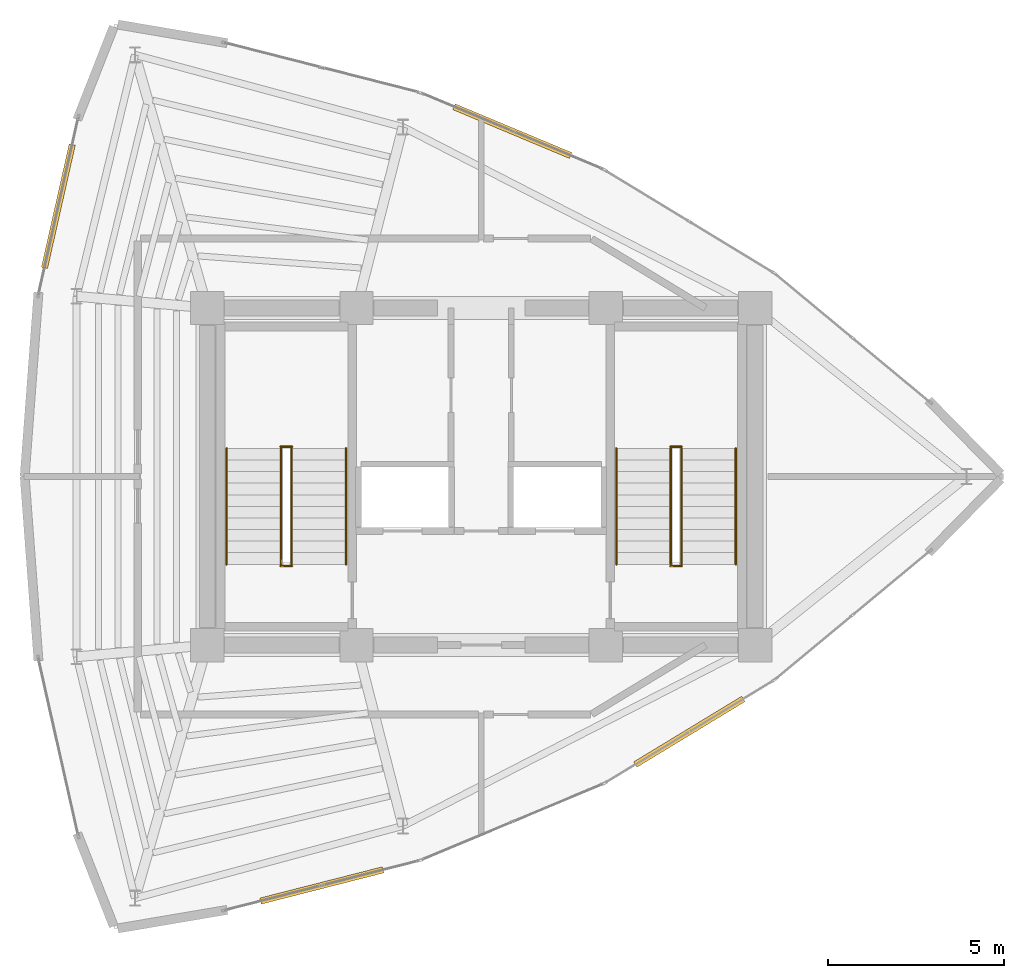
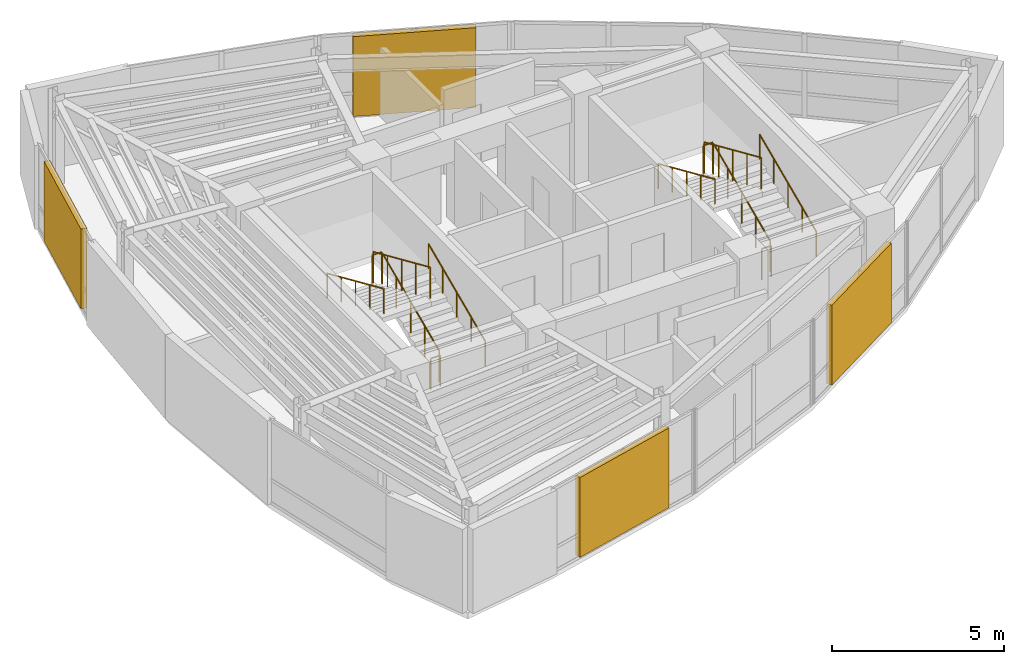
# One storey, part 14 of 14: 12 railings, 4 shading devices.
"""IFC4 building model written with IfcOpenShell, lengths in metres."""

import ifcopenshell
import ifcopenshell.guid

model = None  # the IFC model being written
_history = None  # IfcOwnerHistory: only IFC2X3 demands one
_inside = {}  # id of a spatial element -> (the spatial element, [elements in it])
_under = {}  # id of a project, library or spatial element -> (it, [spatial elements below it])
_declared = {}  # id of a project -> (the project, [libraries it declares])
_typed = {}  # id of a type object -> (the type object, [elements of that type])
_made_of = {}  # id of a material, layer set ... -> (it, [elements and type objects made of it])


def new_model(schema):
    """Start an empty IFC model of exactly this schema.

    Asked for "IFC4X3", IfcOpenShell would pick the latest addendum, in which some entities
    have other attributes; the version numbers below select the first issue.
    IFC2X3 requires an IfcOwnerHistory on every rooted entity: one is made here for all.
    """
    global model, _history
    if schema == "IFC4X3":
        model = ifcopenshell.file(schema_version=(4, 3, 0, 0))
    else:
        model = ifcopenshell.file(schema=schema)
    _inside.clear()
    _under.clear()
    _declared.clear()
    _typed.clear()
    _made_of.clear()
    _history = None
    if model.schema == "IFC2X3":
        org = make("IfcOrganization", Name="unknown")
        user = make(
            "IfcPersonAndOrganization",
            ThePerson=make("IfcPerson", FamilyName="unknown"),
            TheOrganization=org,
        )
        app = make(
            "IfcApplication",
            ApplicationDeveloper=org,
            Version="unknown",
            ApplicationFullName="unknown",
            ApplicationIdentifier="unknown",
        )
        _history = make(
            "IfcOwnerHistory",
            OwningUser=user,
            OwningApplication=app,
            ChangeAction="ADDED",
            CreationDate=0,
        )
    return model


def make(cls, **values):
    """One entity of the class cls with the attributes given. An attribute that is None is left unset."""
    return model.create_entity(
        cls, **{name: value for name, value in values.items() if value is not None}
    )


def rooted(cls, **values):
    """An entity with a GlobalId (a new one), such as an element, a storey or a relation."""
    return make(cls, GlobalId=ifcopenshell.guid.new(), OwnerHistory=_history, **values)


def si_unit(unit_type, name, prefix=None):
    """IfcSIUnit, for example si_unit("LENGTHUNIT", "METRE", prefix="MILLI")."""
    return make("IfcSIUnit", UnitType=unit_type, Prefix=prefix, Name=name)


def assignment(units):
    """IfcUnitAssignment: the units of a project."""
    return None if units is None else make("IfcUnitAssignment", Units=units)


def point(xyz):
    """IfcCartesianPoint."""
    return None if xyz is None else make("IfcCartesianPoint", Coordinates=xyz)


def direction(xyz):
    """IfcDirection."""
    return None if xyz is None else make("IfcDirection", DirectionRatios=xyz)


def frame(location, z_axis=None, x_axis=None):
    """IfcAxis2Placement3D, a coordinate frame: its origin and axes. An axis left out is left unset."""
    return make(
        "IfcAxis2Placement3D",
        Location=point(location),
        Axis=direction(z_axis),
        RefDirection=direction(x_axis),
    )


def frame_2d(location, x_axis=None):
    """IfcAxis2Placement2D, a coordinate frame in the plane: its origin and x axis."""
    return make(
        "IfcAxis2Placement2D", Location=point(location), RefDirection=direction(x_axis)
    )


def origin():
    """The frame at (0, 0, 0) with its axes left unset."""
    return frame((0.0, 0.0, 0.0))


def origin_2d():
    """The frame at (0, 0) in the plane with its x axis left unset."""
    return frame_2d((0.0, 0.0))


def place(relative_to, where):
    """IfcLocalPlacement: puts the frame where relative to a parent placement (None: the world)."""
    return make(
        "IfcLocalPlacement", PlacementRelTo=relative_to, RelativePlacement=where
    )


def context(
    kind, dimensions, precision=None, world=None, true_north=None, identifier=None
):
    """IfcGeometricRepresentationContext, for example the 3D "Model" context."""
    return make(
        "IfcGeometricRepresentationContext",
        ContextIdentifier=identifier,
        ContextType=kind,
        CoordinateSpaceDimension=dimensions,
        Precision=precision,
        WorldCoordinateSystem=world,
        TrueNorth=true_north,
    )


def subcontext(parent, identifier, kind, view, scale=None):
    """IfcGeometricRepresentationSubContext, for example "Body" below "Model"."""
    return make(
        "IfcGeometricRepresentationSubContext",
        ContextIdentifier=identifier,
        ContextType=kind,
        ParentContext=parent,
        TargetScale=scale,
        TargetView=view,
    )


def project(units=None, contexts=None):
    """IfcProject with its units and contexts."""
    return rooted(
        "IfcProject",
        Name="project",
        RepresentationContexts=contexts,
        UnitsInContext=assignment(units),
    )


def spatial(cls, under=None, at=None, **own):
    """A site, building, storey or space (cls), placed at a placement, below another one or the project."""
    s = rooted(cls, ObjectPlacement=at, **own)
    if under is not None:
        _under.setdefault(under.id(), (under, []))[1].append(s)
    return s


def profile(cls, at=None, kind="AREA", **sizes):
    """A parametric profile (cls). Its sizes go by their IFC names, for example OverallWidth=200.0."""
    return make(cls, ProfileType=kind, Position=at, **sizes)


def rectangle(**sizes):
    """IfcRectangleProfileDef."""
    return profile("IfcRectangleProfileDef", **sizes)


def circle(**sizes):
    """IfcCircleProfileDef."""
    return profile("IfcCircleProfileDef", **sizes)


def extrude(swept, where, along, depth):
    """IfcExtrudedAreaSolid: the profile swept, set in the frame where, extruded along a direction by depth."""
    return make(
        "IfcExtrudedAreaSolid",
        SweptArea=swept,
        Position=where,
        ExtrudedDirection=direction(along),
        Depth=depth,
    )


def shape(context_of_items, identifier, shape_type, items):
    """IfcShapeRepresentation: the items that make up one representation, for example the "Body"."""
    return make(
        "IfcShapeRepresentation",
        ContextOfItems=context_of_items,
        RepresentationIdentifier=identifier,
        RepresentationType=shape_type,
        Items=items,
    )


def material(Name=None, Category=None):
    """IfcMaterial."""
    return make("IfcMaterial", Name=Name, Category=Category)


def layer(
    of_material, thickness, ventilated=None, Name=None, Category=None, Priority=None
):
    """IfcMaterialLayer: one layer of a wall or slab, of a material (None: an air gap)."""
    return make(
        "IfcMaterialLayer",
        Material=of_material,
        LayerThickness=thickness,
        IsVentilated=ventilated,
        Name=Name,
        Category=Category,
        Priority=Priority,
    )


def layer_set(layers, Name=None):
    """IfcMaterialLayerSet."""
    return make("IfcMaterialLayerSet", MaterialLayers=layers, LayerSetName=Name)


def made_of(thing, what):
    """Note that an element or type object is made of a material, layer set ...; save() writes the relation."""
    if what is not None:
        _made_of.setdefault(what.id(), (what, []))[1].append(thing)
    return thing


def type_object(cls, material=None, **own):
    """A type object (cls), such as IfcWallType, which elements share."""
    return made_of(rooted(cls, **own), material)


def element(
    cls,
    number,
    at=None,
    inside=None,
    cuts=None,
    type_object=None,
    material=None,
    context=None,
    identifier="Body",
    shape_type=None,
    held_by="IfcProductDefinitionShape",
    body=None,
    shapes=None,
    **own,
):
    """One element of the class cls, such as IfcWall. Its Tag is "e" and its number.

    at: its placement. inside: the storey or other place that contains it. cuts: it is an
    opening in that element (IfcRelVoidsElement). A single representation is given by context,
    identifier, shape_type and body (its items); several are given by shapes. held_by: the class
    of the entity that holds the representations. save() writes the other relations.
    """
    e = rooted(cls, Tag="e%d" % number, ObjectPlacement=at, **own)
    if body is not None:
        shapes = [shape(context, identifier, shape_type, body)]
    if shapes is not None:
        e.Representation = make(held_by, Representations=shapes)
    if inside is not None:
        _inside.setdefault(inside.id(), (inside, []))[1].append(e)
    if cuts is not None:
        rooted(
            "IfcRelVoidsElement", RelatingBuildingElement=cuts, RelatedOpeningElement=e
        )
    if type_object is not None:
        _typed.setdefault(type_object.id(), (type_object, []))[1].append(e)
    return made_of(e, material)


def aggregate(whole, parts):
    """IfcRelAggregates: a whole, such as a stair, and the parts it consists of."""
    return rooted("IfcRelAggregates", RelatingObject=whole, RelatedObjects=parts)


def save(model, path):
    """Write the relations noted so far, then the file.

    IfcRelAggregates (storeys below a building ...), IfcRelContainedInSpatialStructure (elements
    in a storey), IfcRelDefinesByType, IfcRelAssociatesMaterial and IfcRelDeclares: one each for
    every whole, place, type object, material and project.
    """
    for whole, parts in _under.values():
        aggregate(whole, parts)
    for where, things in _inside.values():
        rooted(
            "IfcRelContainedInSpatialStructure",
            RelatedElements=things,
            RelatingStructure=where,
        )
    for kind, things in _typed.values():
        rooted("IfcRelDefinesByType", RelatedObjects=things, RelatingType=kind)
    for what, things in _made_of.values():
        rooted("IfcRelAssociatesMaterial", RelatedObjects=things, RelatingMaterial=what)
    for by, libraries in _declared.values():
        rooted("IfcRelDeclares", RelatingContext=by, RelatedDefinitions=libraries)
    model.write(path)


model = new_model("IFC4")

# Units and contexts
model_context = context("Model", 3, precision=1e-05, world=origin(), true_north=direction((0.0, 1.0)))
body_context = subcontext(model_context, "Body", "Model", "MODEL_VIEW")
ifc_project = project(units=[si_unit("LENGTHUNIT", "METRE"), si_unit("AREAUNIT", "SQUARE_METRE"), si_unit("VOLUMEUNIT", "CUBIC_METRE"), si_unit("PLANEANGLEUNIT", "RADIAN"), si_unit("MASSUNIT", "GRAM", prefix="KILO")], contexts=[model_context])

# Site, building, storey
site_placement = place(None, origin())
site = spatial("IfcSite", under=ifc_project, at=site_placement, CompositionType="ELEMENT")
building_placement = place(site_placement, origin())
building = spatial("IfcBuilding", under=site, at=building_placement, Name="Menara Vayukalpa", CompositionType="ELEMENT")
storey_placement = place(building_placement, frame((0.0, 0.0, 305.6201171875)))
storey = spatial("IfcBuildingStorey", under=building, at=storey_placement, Name="L78", CompositionType="ELEMENT", Elevation=305.6201171875)

# Railings
ifc_material_1 = material(Name="Powder-Coated Galvanised Steel Guardrail", Category="steel")
railing_type_1 = type_object("IfcRailingType", Name="RLG-STG110", PredefinedType="GUARDRAIL", material=ifc_material_1)
railing_1_placement = place(storey_placement, frame((20.199951171875, 19.5, 0.145263671875)))
element("IfcRailing", 1, at=railing_1_placement, inside=storey, type_object=railing_type_1, Name="L78 ST-1 stair guard 1", PredefinedType="GUARDRAIL", context=body_context, shape_type="SweptSolid", body=[
    extrude(circle(Radius=0.02392578125, at=origin_2d()), frame((0.0, 0.0, 1.09619140625), z_axis=(0.0, 0.915052310208, 0.403335182675), x_axis=(-1.0, 0.0, 0.0)), (0.0, 0.0, 1.0), 3.6064453125),
    extrude(circle(Radius=0.02099609375, at=origin_2d()), origin(), (0.0, 0.0, 1.0), 1.072021484375),
    extrude(circle(Radius=0.02099609375, at=origin_2d()), frame((0.0, 0.824951171875, 0.36376953125)), (0.0, 0.0, 1.0), 1.072021484375),
    extrude(circle(Radius=0.02099609375, at=origin_2d()), frame((0.0, 1.64990234375, 0.727294921875)), (0.0, 0.0, 1.0), 1.072021484375),
    extrude(circle(Radius=0.02099609375, at=origin_2d()), frame((0.0, 2.47509765625, 1.0908203125)), (0.0, 0.0, 1.0), 1.072021484375),
    extrude(circle(Radius=0.02099609375, at=origin_2d()), frame((0.0, 3.300048828125, 1.45458984375)), (0.0, 0.0, 1.0), 1.072021484375),
])
railing_2_placement = place(storey_placement, frame((20.2099609375, 22.85009765625, 1.599853515625)))
element("IfcRailing", 2, at=railing_2_placement, inside=storey, type_object=railing_type_1, Name="L78 ST-1 stair guard 2", PredefinedType="GUARDRAIL", context=body_context, shape_type="SweptSolid", body=[
    extrude(circle(Radius=0.02392578125, at=origin_2d()), frame((0.0, 0.0, 1.09619140625), z_axis=(-1.0, 0.0, 0.0), x_axis=(0.0, -1.0, 0.0)), (0.0, 0.0, 1.0), 0.320068359375),
    extrude(circle(Radius=0.02099609375, at=origin_2d()), origin(), (0.0, 0.0, 1.0), 1.072021484375),
    extrude(circle(Radius=0.02099609375, at=origin_2d()), frame((-0.320068359375, 0.0, 0.0)), (0.0, 0.0, 1.0), 1.072021484375),
])
railing_3_placement = place(storey_placement, frame((19.89990234375, 22.800048828125, 1.745361328125)))
element("IfcRailing", 3, at=railing_3_placement, inside=storey, type_object=railing_type_1, Name="L78 ST-1 stair guard 3", PredefinedType="GUARDRAIL", context=body_context, shape_type="SweptSolid", body=[
    extrude(circle(Radius=0.02392578125, at=origin_2d()), frame((0.0, 0.0, 1.09619140625), z_axis=(0.0, -0.915052310208, 0.403335182675), x_axis=(1.0, 0.0, 0.0)), (0.0, 0.0, 1.0), 3.6064453125),
    extrude(circle(Radius=0.02099609375, at=origin_2d()), origin(), (0.0, 0.0, 1.0), 1.072021484375),
    extrude(circle(Radius=0.02099609375, at=origin_2d()), frame((0.0, -0.824951171875, 0.36376953125)), (0.0, 0.0, 1.0), 1.072021484375),
    extrude(circle(Radius=0.02099609375, at=origin_2d()), frame((0.0, -1.64990234375, 0.727294921875)), (0.0, 0.0, 1.0), 1.072021484375),
    extrude(circle(Radius=0.02099609375, at=origin_2d()), frame((0.0, -2.47509765625, 1.0908203125)), (0.0, 0.0, 1.0), 1.072021484375),
    extrude(circle(Radius=0.02099609375, at=origin_2d()), frame((0.0, -3.300048828125, 1.45458984375)), (0.0, 0.0, 1.0), 1.072021484375),
])
railing_4_placement = place(storey_placement, frame((20.2099609375, 19.449951171875, 0.0)))
element("IfcRailing", 4, at=railing_4_placement, inside=storey, type_object=railing_type_1, Name="L78 ST-1 stair guard 4", PredefinedType="GUARDRAIL", context=body_context, shape_type="SweptSolid", body=[
    extrude(circle(Radius=0.02392578125, at=origin_2d()), frame((0.0, 0.0, 1.09619140625), z_axis=(-1.0, 0.0, 0.0), x_axis=(0.0, -1.0, 0.0)), (0.0, 0.0, 1.0), 0.320068359375),
    extrude(circle(Radius=0.02099609375, at=origin_2d()), origin(), (0.0, 0.0, 1.0), 1.072021484375),
    extrude(circle(Radius=0.02099609375, at=origin_2d()), frame((-0.320068359375, 0.0, 0.0)), (0.0, 0.0, 1.0), 1.072021484375),
])
railing_5_placement = place(storey_placement, frame((31.300048828125, 19.5, 0.145263671875)))
element("IfcRailing", 5, at=railing_5_placement, inside=storey, type_object=railing_type_1, Name="L78 ST-2 stair guard 1", PredefinedType="GUARDRAIL", context=body_context, shape_type="SweptSolid", body=[
    extrude(circle(Radius=0.02392578125, at=origin_2d()), frame((0.0, 0.0, 1.09619140625), z_axis=(0.0, 0.915052310208, 0.403335182675), x_axis=(-1.0, 0.0, 0.0)), (0.0, 0.0, 1.0), 3.6064453125),
    extrude(circle(Radius=0.02099609375, at=origin_2d()), origin(), (0.0, 0.0, 1.0), 1.072021484375),
    extrude(circle(Radius=0.02099609375, at=origin_2d()), frame((0.0, 0.824951171875, 0.36376953125)), (0.0, 0.0, 1.0), 1.072021484375),
    extrude(circle(Radius=0.02099609375, at=origin_2d()), frame((0.0, 1.64990234375, 0.727294921875)), (0.0, 0.0, 1.0), 1.072021484375),
    extrude(circle(Radius=0.02099609375, at=origin_2d()), frame((0.0, 2.47509765625, 1.0908203125)), (0.0, 0.0, 1.0), 1.072021484375),
    extrude(circle(Radius=0.02099609375, at=origin_2d()), frame((0.0, 3.300048828125, 1.45458984375)), (0.0, 0.0, 1.0), 1.072021484375),
])
railing_6_placement = place(storey_placement, frame((31.31005859375, 22.85009765625, 1.599853515625)))
element("IfcRailing", 6, at=railing_6_placement, inside=storey, type_object=railing_type_1, Name="L78 ST-2 stair guard 2", PredefinedType="GUARDRAIL", context=body_context, shape_type="SweptSolid", body=[
    extrude(circle(Radius=0.02392578125, at=origin_2d()), frame((0.0, 0.0, 1.09619140625), z_axis=(-1.0, 0.0, 0.0), x_axis=(0.0, -1.0, 0.0)), (0.0, 0.0, 1.0), 0.320068359375),
    extrude(circle(Radius=0.02099609375, at=origin_2d()), origin(), (0.0, 0.0, 1.0), 1.072021484375),
    extrude(circle(Radius=0.02099609375, at=origin_2d()), frame((-0.320068359375, 0.0, 0.0)), (0.0, 0.0, 1.0), 1.072021484375),
])
railing_7_placement = place(storey_placement, frame((31.0, 22.800048828125, 1.745361328125)))
element("IfcRailing", 7, at=railing_7_placement, inside=storey, type_object=railing_type_1, Name="L78 ST-2 stair guard 3", PredefinedType="GUARDRAIL", context=body_context, shape_type="SweptSolid", body=[
    extrude(circle(Radius=0.02392578125, at=origin_2d()), frame((0.0, 0.0, 1.09619140625), z_axis=(0.0, -0.915052310208, 0.403335182675), x_axis=(1.0, 0.0, 0.0)), (0.0, 0.0, 1.0), 3.6064453125),
    extrude(circle(Radius=0.02099609375, at=origin_2d()), origin(), (0.0, 0.0, 1.0), 1.072021484375),
    extrude(circle(Radius=0.02099609375, at=origin_2d()), frame((0.0, -0.824951171875, 0.36376953125)), (0.0, 0.0, 1.0), 1.072021484375),
    extrude(circle(Radius=0.02099609375, at=origin_2d()), frame((0.0, -1.64990234375, 0.727294921875)), (0.0, 0.0, 1.0), 1.072021484375),
    extrude(circle(Radius=0.02099609375, at=origin_2d()), frame((0.0, -2.47509765625, 1.0908203125)), (0.0, 0.0, 1.0), 1.072021484375),
    extrude(circle(Radius=0.02099609375, at=origin_2d()), frame((0.0, -3.300048828125, 1.45458984375)), (0.0, 0.0, 1.0), 1.072021484375),
])
railing_8_placement = place(storey_placement, frame((31.31005859375, 19.449951171875, 0.0)))
element("IfcRailing", 8, at=railing_8_placement, inside=storey, type_object=railing_type_1, Name="L78 ST-2 stair guard 4", PredefinedType="GUARDRAIL", context=body_context, shape_type="SweptSolid", body=[
    extrude(circle(Radius=0.02392578125, at=origin_2d()), frame((0.0, 0.0, 1.09619140625), z_axis=(-1.0, 0.0, 0.0), x_axis=(0.0, -1.0, 0.0)), (0.0, 0.0, 1.0), 0.320068359375),
    extrude(circle(Radius=0.02099609375, at=origin_2d()), origin(), (0.0, 0.0, 1.0), 1.072021484375),
    extrude(circle(Radius=0.02099609375, at=origin_2d()), frame((-0.320068359375, 0.0, 0.0)), (0.0, 0.0, 1.0), 1.072021484375),
])
ifc_material_2 = material(Name="Stainless Steel 316 Tubular Handrail", Category="steel")
railing_type_2 = type_object("IfcRailingType", Name="RLG-STH090", PredefinedType="HANDRAIL", material=ifc_material_2)
railing_9_placement = place(storey_placement, frame((21.75, 19.5, 0.145263671875)))
element("IfcRailing", 9, at=railing_9_placement, inside=storey, type_object=railing_type_2, Name="L78 ST-1 stair handrail 1", PredefinedType="HANDRAIL", context=body_context, shape_type="SweptSolid", body=[
    extrude(circle(Radius=0.02392578125, at=origin_2d()), frame((0.0, 0.0, 0.8759765625), z_axis=(0.0, 0.915052310208, 0.403335182675), x_axis=(-1.0, 0.0, 0.0)), (0.0, 0.0, 1.0), 3.6064453125),
    extrude(circle(Radius=0.02099609375, at=origin_2d()), origin(), (0.0, 0.0, 1.0), 0.851806640625),
    extrude(circle(Radius=0.02099609375, at=origin_2d()), frame((0.0, 0.824951171875, 0.36376953125)), (0.0, 0.0, 1.0), 0.851806640625),
    extrude(circle(Radius=0.02099609375, at=origin_2d()), frame((0.0, 1.64990234375, 0.727294921875)), (0.0, 0.0, 1.0), 0.851806640625),
    extrude(circle(Radius=0.02099609375, at=origin_2d()), frame((0.0, 2.47509765625, 1.0908203125)), (0.0, 0.0, 1.0), 0.851806640625),
    extrude(circle(Radius=0.02099609375, at=origin_2d()), frame((0.0, 3.300048828125, 1.45458984375)), (0.0, 0.0, 1.0), 0.851806640625),
])
railing_10_placement = place(storey_placement, frame((18.35009765625, 22.800048828125, 1.745361328125)))
element("IfcRailing", 10, at=railing_10_placement, inside=storey, type_object=railing_type_2, Name="L78 ST-1 stair handrail 2", PredefinedType="HANDRAIL", context=body_context, shape_type="SweptSolid", body=[
    extrude(circle(Radius=0.02392578125, at=origin_2d()), frame((0.0, 0.0, 0.8759765625), z_axis=(0.0, -0.915052310208, 0.403335182675), x_axis=(1.0, 0.0, 0.0)), (0.0, 0.0, 1.0), 3.6064453125),
    extrude(circle(Radius=0.02099609375, at=origin_2d()), origin(), (0.0, 0.0, 1.0), 0.851806640625),
    extrude(circle(Radius=0.02099609375, at=origin_2d()), frame((0.0, -0.824951171875, 0.36376953125)), (0.0, 0.0, 1.0), 0.851806640625),
    extrude(circle(Radius=0.02099609375, at=origin_2d()), frame((0.0, -1.64990234375, 0.727294921875)), (0.0, 0.0, 1.0), 0.851806640625),
    extrude(circle(Radius=0.02099609375, at=origin_2d()), frame((0.0, -2.47509765625, 1.0908203125)), (0.0, 0.0, 1.0), 0.851806640625),
    extrude(circle(Radius=0.02099609375, at=origin_2d()), frame((0.0, -3.300048828125, 1.45458984375)), (0.0, 0.0, 1.0), 0.851806640625),
])
railing_11_placement = place(storey_placement, frame((32.85009765625, 19.5, 0.145263671875)))
element("IfcRailing", 11, at=railing_11_placement, inside=storey, type_object=railing_type_2, Name="L78 ST-2 stair handrail 1", PredefinedType="HANDRAIL", context=body_context, shape_type="SweptSolid", body=[
    extrude(circle(Radius=0.02392578125, at=origin_2d()), frame((0.0, 0.0, 0.8759765625), z_axis=(0.0, 0.915052310208, 0.403335182675), x_axis=(-1.0, 0.0, 0.0)), (0.0, 0.0, 1.0), 3.6064453125),
    extrude(circle(Radius=0.02099609375, at=origin_2d()), origin(), (0.0, 0.0, 1.0), 0.851806640625),
    extrude(circle(Radius=0.02099609375, at=origin_2d()), frame((0.0, 0.824951171875, 0.36376953125)), (0.0, 0.0, 1.0), 0.851806640625),
    extrude(circle(Radius=0.02099609375, at=origin_2d()), frame((0.0, 1.64990234375, 0.727294921875)), (0.0, 0.0, 1.0), 0.851806640625),
    extrude(circle(Radius=0.02099609375, at=origin_2d()), frame((0.0, 2.47509765625, 1.0908203125)), (0.0, 0.0, 1.0), 0.851806640625),
    extrude(circle(Radius=0.02099609375, at=origin_2d()), frame((0.0, 3.300048828125, 1.45458984375)), (0.0, 0.0, 1.0), 0.851806640625),
])
railing_12_placement = place(storey_placement, frame((29.449951171875, 22.800048828125, 1.745361328125)))
element("IfcRailing", 12, at=railing_12_placement, inside=storey, type_object=railing_type_2, Name="L78 ST-2 stair handrail 2", PredefinedType="HANDRAIL", context=body_context, shape_type="SweptSolid", body=[
    extrude(circle(Radius=0.02392578125, at=origin_2d()), frame((0.0, 0.0, 0.8759765625), z_axis=(0.0, -0.915052310208, 0.403335182675), x_axis=(1.0, 0.0, 0.0)), (0.0, 0.0, 1.0), 3.6064453125),
    extrude(circle(Radius=0.02099609375, at=origin_2d()), origin(), (0.0, 0.0, 1.0), 0.851806640625),
    extrude(circle(Radius=0.02099609375, at=origin_2d()), frame((0.0, -0.824951171875, 0.36376953125)), (0.0, 0.0, 1.0), 0.851806640625),
    extrude(circle(Radius=0.02099609375, at=origin_2d()), frame((0.0, -1.64990234375, 0.727294921875)), (0.0, 0.0, 1.0), 0.851806640625),
    extrude(circle(Radius=0.02099609375, at=origin_2d()), frame((0.0, -2.47509765625, 1.0908203125)), (0.0, 0.0, 1.0), 0.851806640625),
    extrude(circle(Radius=0.02099609375, at=origin_2d()), frame((0.0, -3.300048828125, 1.45458984375)), (0.0, 0.0, 1.0), 0.851806640625),
])

# Shading devices
ifc_material_3 = material(Name="Anodised Terracotta Aluminium Acoustic Louvre", Category="masonry")
ifc_layer = layer(ifc_material_3, 0.280029296875)
ifc_layer_set = layer_set([ifc_layer], Name="Anodised Terracotta Aluminium Acoustic Louvre")
shading_device_type = type_object("IfcShadingDeviceType", Name="SHD-LV1", PredefinedType="JALOUSIE", material=ifc_layer_set)
for number, where, z_axis, x_axis, name in (
    (13, (26.48583984375, 31.835205078125, 0.074951171875), (0.0, 0.0, 1.0), (-0.922538089456, 0.385906042324, 0.0), "L78 Crown Plant Louvre Screen 05"),
    (14, (13.558837890625, 29.69921875, 0.074951171875), (0.0, 0.0, 1.0), (-0.219522692765, -0.975607394068, 0.0), "L78 Crown Plant Louvre Screen 09"),
    (15, (21.0615234375, 10.354248046875, 0.074951171875), (0.0, 0.0, 1.0), (0.968985547553, 0.247117398484, 0.0), "L78 Crown Plant Louvre Screen 15"),
    (16, (31.525146484375, 14.73095703125, 0.074951171875), (0.0, 0.0, 1.0), (0.85466730962, 0.519176068272, 0.0), "L78 Crown Plant Louvre Screen 17"),
):
    element("IfcShadingDevice", number, at=place(storey_placement, frame(where, z_axis=z_axis, x_axis=x_axis)), inside=storey, type_object=shading_device_type, Name=name, PredefinedType="JALOUSIE", context=body_context, shape_type="SweptSolid", body=[
        extrude(rectangle(XDim=3.60009765625, YDim=0.179931640625, at=origin_2d()), origin(), (0.0, 0.0, 1.0), 2.830078125),
    ])

save(model, "model.ifc")
